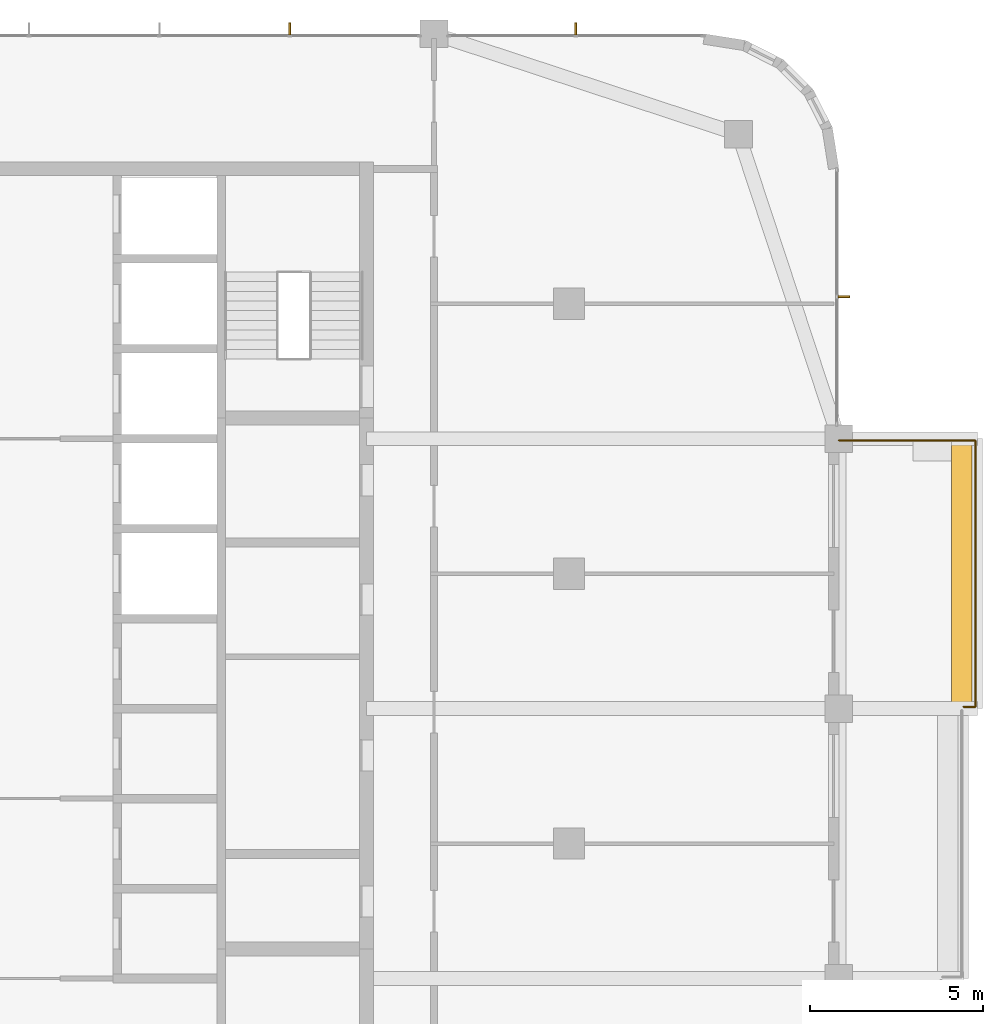
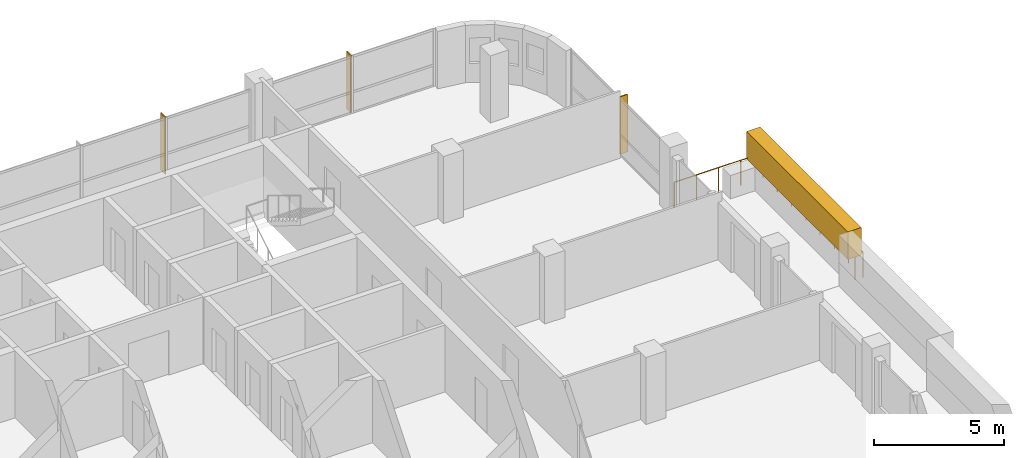
# One storey, part 22 of 22: 3 shading devices, 1 covering, 1 railing.
"""IFC4 building model written with IfcOpenShell, lengths in metres."""

from ifc_helpers import new_model, si_unit, direction, frame, origin, origin_2d, place, context, subcontext, project, spatial, rectangle, circle, extrude, material, layer, layer_set, type_object, element, save


model = new_model("IFC4")

# Units and contexts
model_context = context("Model", 3, precision=1e-05, world=origin(), true_north=direction((0.0, 1.0)))
body_context = subcontext(model_context, "Body", "Model", "MODEL_VIEW")
ifc_project = project(units=[si_unit("LENGTHUNIT", "METRE"), si_unit("AREAUNIT", "SQUARE_METRE"), si_unit("VOLUMEUNIT", "CUBIC_METRE"), si_unit("PLANEANGLEUNIT", "RADIAN"), si_unit("MASSUNIT", "GRAM", prefix="KILO")], contexts=[model_context])

# Site, building, storey
site_placement = place(None, origin())
site = spatial("IfcSite", under=ifc_project, at=site_placement, CompositionType="ELEMENT")
building_placement = place(site_placement, origin())
building = spatial("IfcBuilding", under=site, at=building_placement, Name="Ludao Terraces", CompositionType="ELEMENT")
storey_placement = place(building_placement, frame((0.0, 0.0, 200.699951171875)))
storey = spatial("IfcBuildingStorey", under=building, at=storey_placement, Name="L54", CompositionType="ELEMENT", Elevation=200.699951171875)

# Railing
ifc_material_1 = material(Name="Stainless steel 304", Category="steel")
railing_type = type_object("IfcRailingType", Name="ENV Balcony glass guard 1200", PredefinedType="GUARDRAIL", material=ifc_material_1)
railing_placement = place(storey_placement, frame((112.0, 68.949951171875, 0.0)))
element("IfcRailing", 1, at=railing_placement, inside=storey, type_object=railing_type, Name="Balcony guard L54 E3", PredefinedType="GUARDRAIL", context=body_context, shape_type="SweptSolid", body=[
    extrude(circle(Radius=0.02392578125, at=origin_2d()), frame((0.0, 0.0, 1.17578125), z_axis=(1.0, 0.0, 0.0), x_axis=(0.0, 1.0, 0.0)), (0.0, 0.0, 1.0), 0.35009765625),
    extrude(circle(Radius=0.02392578125, at=origin_2d()), frame((0.35009765625, 0.0, 1.17578125), z_axis=(0.0, 1.0, 0.0), x_axis=(-1.0, 0.0, 0.0)), (0.0, 0.0, 1.0), 7.699951171875),
    extrude(circle(Radius=0.02392578125, at=origin_2d()), frame((0.35009765625, 7.699951171875, 1.17578125), z_axis=(-1.0, 0.0, 0.0), x_axis=(0.0, -1.0, 0.0)), (0.0, 0.0, 1.0), 3.9501953125),
    extrude(circle(Radius=0.02099609375, at=origin_2d()), origin(), (0.0, 0.0, 1.0), 1.15185546875),
    extrude(circle(Radius=0.02099609375, at=origin_2d()), frame((0.35009765625, 0.0, 0.0)), (0.0, 0.0, 1.0), 1.15185546875),
    extrude(circle(Radius=0.02099609375, at=origin_2d()), frame((0.35009765625, 1.10009765625, 0.0)), (0.0, 0.0, 1.0), 1.15185546875),
    extrude(circle(Radius=0.02099609375, at=origin_2d()), frame((0.35009765625, 2.199951171875, 0.0)), (0.0, 0.0, 1.0), 1.15185546875),
    extrude(circle(Radius=0.02099609375, at=origin_2d()), frame((0.35009765625, 3.300048828125, 0.0)), (0.0, 0.0, 1.0), 1.15185546875),
    extrude(circle(Radius=0.02099609375, at=origin_2d()), frame((0.35009765625, 4.39990234375, 0.0)), (0.0, 0.0, 1.0), 1.15185546875),
    extrude(circle(Radius=0.02099609375, at=origin_2d()), frame((0.35009765625, 5.5, 0.0)), (0.0, 0.0, 1.0), 1.15185546875),
    extrude(circle(Radius=0.02099609375, at=origin_2d()), frame((0.35009765625, 6.599853515625, 0.0)), (0.0, 0.0, 1.0), 1.15185546875),
    extrude(circle(Radius=0.02099609375, at=origin_2d()), frame((0.35009765625, 7.699951171875, 0.0)), (0.0, 0.0, 1.0), 1.15185546875),
    extrude(circle(Radius=0.02099609375, at=origin_2d()), frame((-0.637451171875, 7.699951171875, 0.0)), (0.0, 0.0, 1.0), 1.15185546875),
    extrude(circle(Radius=0.02099609375, at=origin_2d()), frame((-1.625, 7.699951171875, 0.0)), (0.0, 0.0, 1.0), 1.15185546875),
    extrude(circle(Radius=0.02099609375, at=origin_2d()), frame((-2.612548828125, 7.699951171875, 0.0)), (0.0, 0.0, 1.0), 1.15185546875),
    extrude(circle(Radius=0.02099609375, at=origin_2d()), frame((-3.60009765625, 7.699951171875, 0.0)), (0.0, 0.0, 1.0), 1.15185546875),
])

# Covering
ifc_material_2 = material(Name="Planting")
ifc_layer_1 = layer(ifc_material_2, 0.60009765625)
ifc_layer_set_1 = layer_set([ifc_layer_1], Name="ENV Planting hedge 600x1300")
covering_type = type_object("IfcCoveringType", Name="ENV Planting hedge 600x1300", PredefinedType="USERDEFINED", material=ifc_layer_set_1)
covering_placement = place(storey_placement, frame((111.949951171875, 72.800048828125, 1.10009765625), z_axis=(0.0, 0.0, 1.0), x_axis=(1.0, 0.0, 0.0)))
element("IfcCovering", 2, at=covering_placement, inside=storey, type_object=covering_type, Name="Planting hedge L54-E3", ObjectType="PLANTING", PredefinedType="USERDEFINED", context=body_context, shape_type="SweptSolid", body=[
    extrude(rectangle(XDim=0.60009765625, YDim=7.800048828125, at=origin_2d()), origin(), (0.0, 0.0, 1.0), 1.300048828125),
])

# Shading devices
ifc_material_3 = material(Name="Aluminium 6063-T6", Category="aluminium")
ifc_layer_2 = layer(ifc_material_3, 0.050048828125)
ifc_layer_set_2 = layer_set([ifc_layer_2], Name="ENV Sun fin 50x350")
shading_device_type = type_object("IfcShadingDeviceType", Name="ENV Sun fin 50x350", PredefinedType="USERDEFINED", material=ifc_layer_set_2)
shading_device_placement = place(storey_placement, frame((108.5400390625, 80.800048828125, 0.0), z_axis=(0.0, 0.0, 1.0), x_axis=(1.0, 0.0, 0.0)))
element("IfcShadingDevice", 3, at=shading_device_placement, inside=storey, type_object=shading_device_type, Name="FN-CW-L54-E5-1", ObjectType="FIN", PredefinedType="USERDEFINED", context=body_context, shape_type="SweptSolid", body=[
    extrude(rectangle(XDim=0.35009765625, YDim=0.050048828125, at=origin_2d()), origin(), (0.0, 0.0, 1.0), 2.699951171875),
])
for number, where, z_axis, x_axis, name in (
    (4, (92.533447265625, 88.5400390625, 0.0), (0.0, 0.0, 1.0), (1.0, 0.0, 0.0), "FN-CW-L54-N2-5"),
    (5, (100.800048828125, 88.5400390625, 0.0), (0.0, 0.0, 1.0), (1.0, 0.0, 0.0), "FN-CW-L54-N3-1"),
):
    element("IfcShadingDevice", number, at=place(storey_placement, frame(where, z_axis=z_axis, x_axis=x_axis)), inside=storey, type_object=shading_device_type, Name=name, ObjectType="FIN", PredefinedType="USERDEFINED", context=body_context, shape_type="SweptSolid", body=[
        extrude(rectangle(XDim=0.050048828125, YDim=0.35009765625, at=origin_2d()), origin(), (0.0, 0.0, 1.0), 2.699951171875),
    ])

save(model, "model.ifc")
